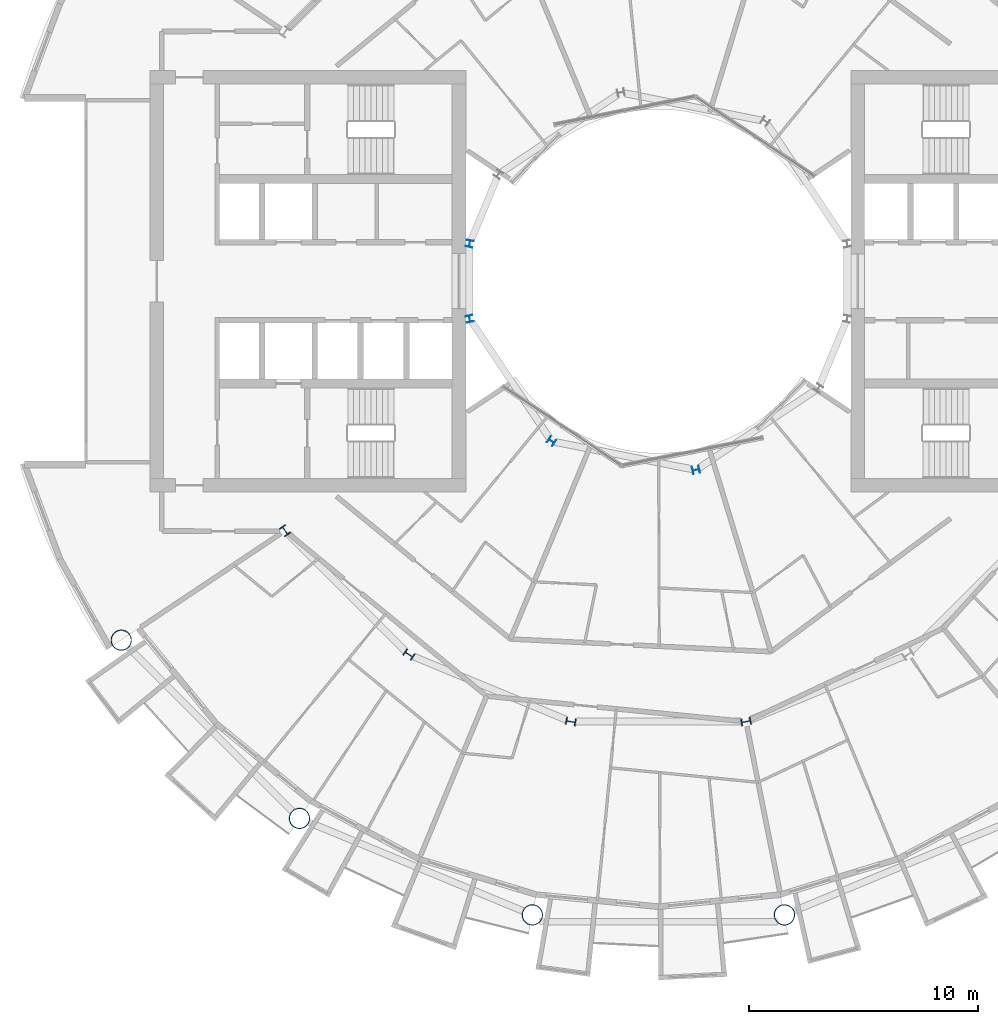
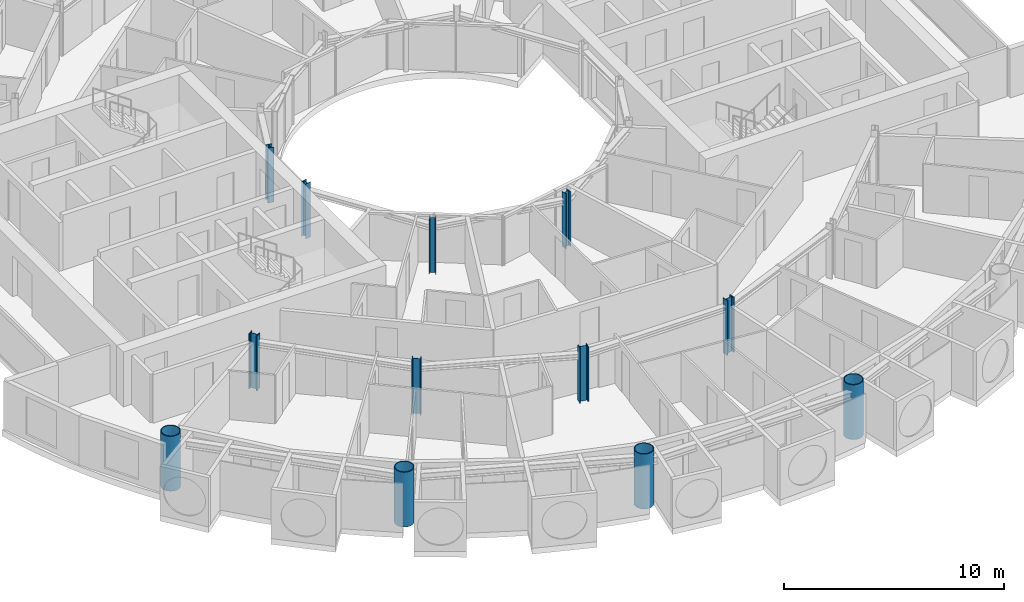
# One storey, part 1 of 27: 12 columns.
"""IFC4 building model written with IfcOpenShell, lengths in metres."""

from ifc_helpers import new_model, si_unit, direction, frame, origin, origin_2d, place, context, subcontext, project, spatial, hollow_circle, i_section, extrude, material, material_profile, profile_set, type_object, element, save


model = new_model("IFC4")

# Units and contexts
model_context = context("Model", 3, precision=1e-05, world=origin(), true_north=direction((0.0, 1.0)))
body_context = subcontext(model_context, "Body", "Model", "MODEL_VIEW")
ifc_project = project(units=[si_unit("LENGTHUNIT", "METRE"), si_unit("AREAUNIT", "SQUARE_METRE"), si_unit("VOLUMEUNIT", "CUBIC_METRE"), si_unit("PLANEANGLEUNIT", "RADIAN"), si_unit("MASSUNIT", "GRAM", prefix="KILO")], contexts=[model_context])

# Site, building, storey
site_placement = place(None, origin())
site = spatial("IfcSite", under=ifc_project, at=site_placement, CompositionType="ELEMENT")
building_placement = place(site_placement, origin())
building = spatial("IfcBuilding", under=site, at=building_placement, Name="Maasbend Ring Residences", CompositionType="ELEMENT")
storey_placement = place(building_placement, frame((0.0, 0.0, 111.64990234375)))
storey = spatial("IfcBuildingStorey", under=building, at=storey_placement, Name="L31", CompositionType="ELEMENT", Elevation=111.64990234375)

# Columns
ifc_material_1 = material(Name="Composite concrete-filled steel tube S460NH / C80/95", Category="concrete")
ifc_material_profile_1 = material_profile(ifc_material_1, hollow_circle(Radius=0.45703125, WallThickness=0.0400390625, at=origin_2d()), Name="Composite tube column CHS 914x40")
ifc_profile_set_1 = profile_set([ifc_material_profile_1], Name="Composite concrete-filled steel tube S460NH / C80/95")
column_type_1 = type_object("IfcColumnType", Name="Composite tube column CHS 914x40", PredefinedType="COLUMN", material=ifc_profile_set_1)
for number, where, z_axis, x_axis, name in (
    (1, (-23.447509765625, -15.6669921875, 0.0), (0.0, 0.0, 1.0), (1.0, 0.0, 0.0), "Outer column R10"),
    (2, (-15.6669921875, -23.447509765625, 0.0), (0.0, 0.0, 1.0), (1.0, 0.0, 0.0), "Outer column R11"),
    (3, (-5.50146484375, -27.658203125, 0.0), (0.0, 0.0, 1.0), (1.0, 0.0, 0.0), "Outer column R12"),
    (4, (5.50146484375, -27.658203125, 0.0), (0.0, 0.0, 1.0), (1.0, 0.0, 0.0), "Outer column R13"),
):
    element("IfcColumn", number, at=place(storey_placement, frame(where, z_axis=z_axis, x_axis=x_axis)), inside=storey, type_object=column_type_1, Name=name, PredefinedType="COLUMN", context=body_context, shape_type="SweptSolid", body=[
        extrude(hollow_circle(Radius=0.45703125, WallThickness=0.0400390625, at=origin_2d()), origin(), (0.0, 0.0, 1.0), 3.050048828125),
    ])
ifc_material_2 = material(Name="Steel S355J2", Category="steel")
ifc_material_profile_2 = material_profile(ifc_material_2, i_section(OverallWidth=0.300048828125, OverallDepth=0.300048828125, WebThickness=0.010986328125, FlangeThickness=0.01904296875, FilletRadius=0.027099609375, at=origin_2d()), Name="HEB 300")
ifc_profile_set_2 = profile_set([ifc_material_profile_2], Name="Steel S355J2")
column_type_2 = type_object("IfcColumnType", Name="Steel column HEB 300", PredefinedType="COLUMN", material=ifc_profile_set_2)
for number, where, z_axis, x_axis, name in (
    (5, (-8.238525390625, 1.638916015625, 0.0), (0.0, 0.0, 1.0), (-0.980785280403, 0.195090322016, 0.0), "Well ring column R8"),
    (6, (-8.238525390625, -1.638916015625, 0.0), (0.0, 0.0, 1.0), (-0.980785280403, -0.195090322016, 0.0), "Well ring column R9"),
    (7, (-4.666748046875, -6.984375, 0.0), (0.0, 0.0, 1.0), (-0.55557023302, -0.831469612303, 0.0), "Well ring column R11"),
    (8, (1.638916015625, -8.238525390625, 0.0), (0.0, 0.0, 1.0), (0.195090322016, -0.980785280403, 0.0), "Well ring column R13"),
):
    element("IfcColumn", number, at=place(storey_placement, frame(where, z_axis=z_axis, x_axis=x_axis)), inside=storey, type_object=column_type_2, Name=name, PredefinedType="COLUMN", context=body_context, shape_type="SweptSolid", body=[
        extrude(i_section(OverallWidth=0.300048828125, OverallDepth=0.300048828125, WebThickness=0.010986328125, FlangeThickness=0.01904296875, FilletRadius=0.027099609375, at=origin_2d()), origin(), (0.0, 0.0, 1.0), 3.050048828125),
    ])
ifc_material_3 = material(Name="Steel S460M", Category="steel")
ifc_material_profile_3 = material_profile(ifc_material_3, i_section(OverallWidth=0.306884765625, OverallDepth=0.431884765625, WebThickness=0.02099609375, FlangeThickness=0.0400390625, FilletRadius=0.027099609375, at=origin_2d()), Name="HEM 400")
ifc_profile_set_3 = profile_set([ifc_material_profile_3], Name="Steel S460M")
column_type_3 = type_object("IfcColumnType", Name="Steel column HEM 400", PredefinedType="COLUMN", material=ifc_profile_set_3)
for number, where, z_axis, x_axis, name in (
    (9, (-16.296875, -10.88916015625, 0.0), (0.0, 0.0, 1.0), (-0.831469612303, -0.55557023302, 0.0), "Corridor ring column R10"),
    (10, (-10.88916015625, -16.296875, 0.0), (0.0, 0.0, 1.0), (-0.55557023302, -0.831469612303, 0.0), "Corridor ring column R11"),
    (11, (-3.82373046875, -19.223388671875, 0.0), (0.0, 0.0, 1.0), (-0.195090322016, -0.980785280403, 0.0), "Corridor ring column R12"),
    (12, (3.82373046875, -19.223388671875, 0.0), (0.0, 0.0, 1.0), (0.195090322016, -0.980785280403, 0.0), "Corridor ring column R13"),
):
    element("IfcColumn", number, at=place(storey_placement, frame(where, z_axis=z_axis, x_axis=x_axis)), inside=storey, type_object=column_type_3, Name=name, PredefinedType="COLUMN", context=body_context, shape_type="SweptSolid", body=[
        extrude(i_section(OverallWidth=0.306884765625, OverallDepth=0.431884765625, WebThickness=0.02099609375, FlangeThickness=0.0400390625, FilletRadius=0.027099609375, at=origin_2d()), origin(), (0.0, 0.0, 1.0), 3.050048828125),
    ])

save(model, "model.ifc")
